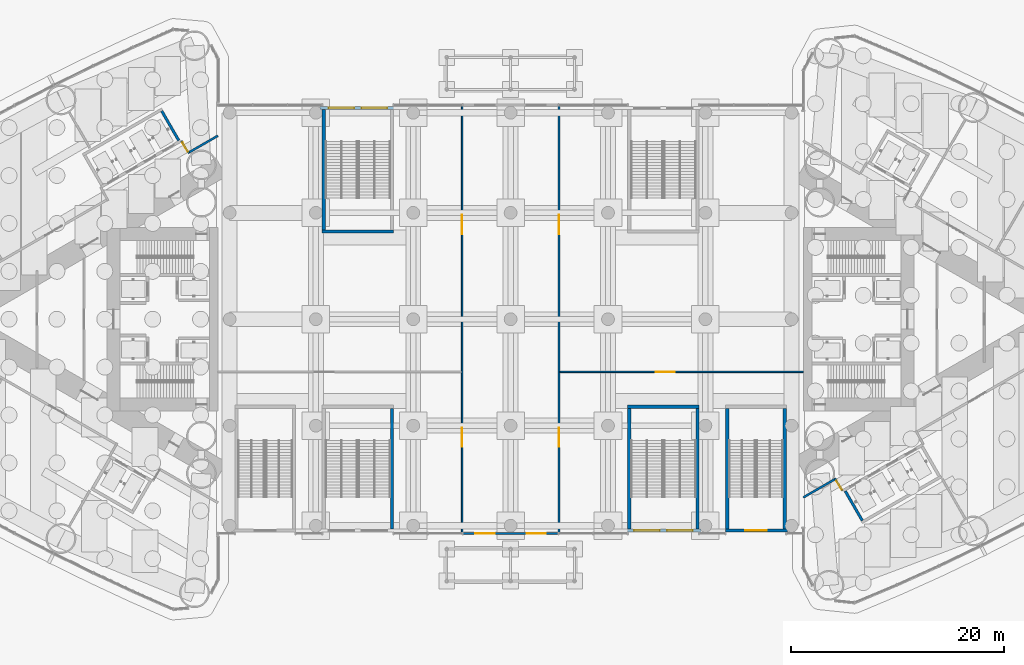
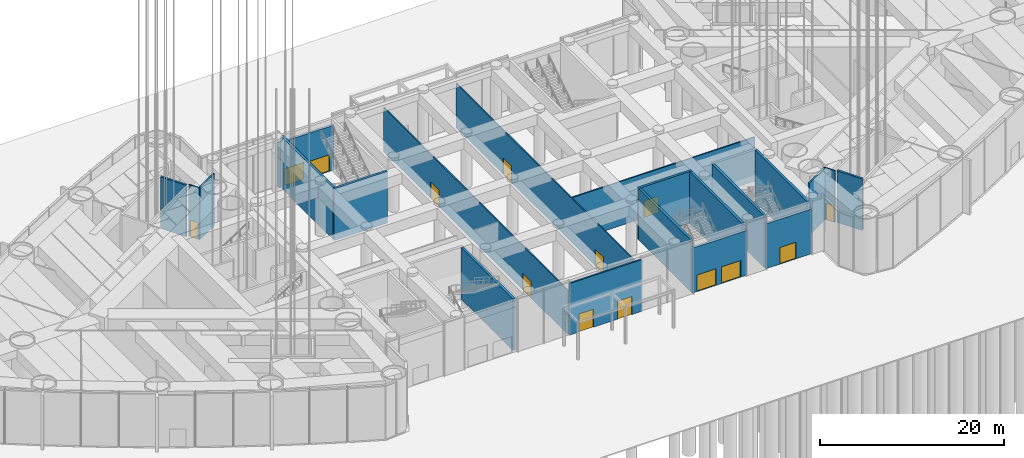
# One storey, part 22 of 43: 21 walls, 14 doors, 14 openings.
"""IFC4 building model written with IfcOpenShell, lengths in metres."""

from ifc_helpers import new_model, si_unit, direction, frame, frame_2d, origin, place, context, subcontext, project, spatial, rectangle, extrude, material, layer, layer_set, type_object, element, fill, save


model = new_model("IFC4")

# Units and contexts
model_context = context("Model", 3, precision=1e-05, world=origin(), true_north=direction((0.0, 1.0)))
body_context = subcontext(model_context, "Body", "Model", "MODEL_VIEW")
ifc_project = project(units=[si_unit("LENGTHUNIT", "METRE"), si_unit("AREAUNIT", "SQUARE_METRE"), si_unit("VOLUMEUNIT", "CUBIC_METRE"), si_unit("PLANEANGLEUNIT", "RADIAN"), si_unit("MASSUNIT", "GRAM", prefix="KILO")], contexts=[model_context])

# Site, building, storey
site_placement = place(None, origin())
site = spatial("IfcSite", under=ifc_project, at=site_placement, CompositionType="ELEMENT")
building_placement = place(site_placement, origin())
building = spatial("IfcBuilding", under=site, at=building_placement, Name="Lancet Gate Hotel", CompositionType="ELEMENT")
storey_placement = place(building_placement, origin())
storey = spatial("IfcBuildingStorey", under=building, at=storey_placement, Name="L00", CompositionType="ELEMENT", Elevation=0.0)

# Walls
ifc_material_1 = material(Name="Gypsum board partition")
ifc_layer_1 = layer(ifc_material_1, 0.199951171875)
ifc_layer_set_1 = layer_set([ifc_layer_1], Name="Corridor wall 200")
wall_type_1 = type_object("IfcWallType", Name="Corridor wall 200", PredefinedType="PARTITIONING", material=ifc_layer_set_1)
wall_1_placement = place(storey_placement, frame((-27.5, 17.244384765625, 0.0), z_axis=(0.0, 0.0, 1.0), x_axis=(-0.866039316896, -0.499975901009, 0.0)))
element("IfcWall", 1, at=wall_1_placement, inside=storey, type_object=wall_type_1, Name="T1 corridor wall 200 L00", PredefinedType="PARTITIONING", context=body_context, shape_type="SweptSolid", body=[
    extrude(rectangle(XDim=3.168701171875, YDim=0.199951171875, at=frame_2d((1.58447265625, 0.0))), origin(), (0.0, 0.0, 1.0), 6.85009765625),
])
wall_2_placement = place(storey_placement, frame((27.5, -16.744384765625, 0.0), z_axis=(0.0, 0.0, 1.0), x_axis=(0.866034395887, 0.499984424899, 0.0)))
element("IfcWall", 2, at=wall_2_placement, inside=storey, type_object=wall_type_1, Name="T2 corridor wall 200 L00", PredefinedType="PARTITIONING", context=body_context, shape_type="SweptSolid", body=[
    extrude(rectangle(XDim=3.46875, YDim=0.199951171875, at=frame_2d((1.734375, 0.0))), origin(), (0.0, 0.0, 1.0), 6.85009765625),
])

# Wall, openings, doors
ifc_material_2 = material(Name="Glazed aluminium screen", Category="aluminium")
ifc_layer_2 = layer(ifc_material_2, 0.199951171875)
ifc_layer_set_2 = layer_set([ifc_layer_2], Name="Glazed entrance screen 200")
wall_type_2 = type_object("IfcWallType", Name="Glazed entrance screen 200", PredefinedType="STANDARD", material=ifc_layer_set_2)
wall_3_placement = place(storey_placement, frame((4.5, -20.1201171875, 0.0), z_axis=(0.0, 0.0, 1.0), x_axis=(-1.0, 0.0, 0.0)))
wall_3 = element("IfcWall", 3, at=wall_3_placement, inside=storey, type_object=wall_type_2, Name="Concourse entrance screen S", PredefinedType="STANDARD", context=body_context, shape_type="SweptSolid", body=[
    extrude(rectangle(XDim=9.0, YDim=0.199951171875, at=frame_2d((4.5, 0.0))), origin(), (0.0, 0.0, 1.0), 6.85009765625),
])
opening_1_placement = place(wall_3_placement, frame((6.0, 0.0, 0.0)))
opening_1 = element("IfcOpeningElement", 4, at=opening_1_placement, cuts=wall_3, Name="Opening CONC-S1", PredefinedType="OPENING", context=body_context, shape_type="SweptSolid", body=[
    extrude(rectangle(XDim=1.800048828125, YDim=2.39990234375, at=frame_2d((0.89990234375, 1.199951171875))), frame((0.0, 0.10986328125, 0.0), z_axis=(0.0, -1.0, 0.0), x_axis=(1.0, 0.0, 0.0)), (0.0, 0.0, 1.0), 0.219970703125),
])
opening_2_placement = place(wall_3_placement, frame((1.199951171875, 0.0, 0.0)))
opening_2 = element("IfcOpeningElement", 5, at=opening_2_placement, cuts=wall_3, Name="Opening CONC-S2", PredefinedType="OPENING", context=body_context, shape_type="SweptSolid", body=[
    extrude(rectangle(XDim=1.800048828125, YDim=2.39990234375, at=frame_2d((0.89990234375, 1.199951171875))), frame((0.0, 0.10986328125, 0.0), z_axis=(0.0, -1.0, 0.0), x_axis=(1.0, 0.0, 0.0)), (0.0, 0.0, 1.0), 0.219970703125),
])
ifc_material_3 = material(Name="Glazed aluminium door set", Category="aluminium")
door_type_1 = type_object("IfcDoorType", Name="Entrance door 1800", OperationType="DOUBLE_DOOR_SINGLE_SWING", PredefinedType="DOOR", material=ifc_material_3)
door_1_placement = place(opening_1_placement, origin())
door_1 = element("IfcDoor", 6, at=door_1_placement, inside=storey, type_object=door_type_1, Name="CONC-S1", OperationType="SINGLE_SWING_LEFT", OverallHeight=2.39990234375, OverallWidth=1.800048828125, PredefinedType="DOOR", context=body_context, shape_type="SweptSolid", body=[
    extrude(rectangle(XDim=1.800048828125, YDim=2.39990234375, at=frame_2d((0.89990234375, 1.199951171875))), frame((0.0, 0.02490234375, 0.0), z_axis=(0.0, -1.0, 0.0), x_axis=(1.0, 0.0, 0.0)), (0.0, 0.0, 1.0), 0.050048828125),
])
fill(opening_1, door_1)
door_2_placement = place(opening_2_placement, origin())
door_2 = element("IfcDoor", 7, at=door_2_placement, inside=storey, type_object=door_type_1, Name="CONC-S2", OperationType="SINGLE_SWING_LEFT", OverallHeight=2.39990234375, OverallWidth=1.800048828125, PredefinedType="DOOR", context=body_context, shape_type="SweptSolid", body=[
    extrude(rectangle(XDim=1.800048828125, YDim=2.39990234375, at=frame_2d((0.89990234375, 1.199951171875))), frame((0.0, 0.02490234375, 0.0), z_axis=(0.0, -1.0, 0.0), x_axis=(1.0, 0.0, 0.0)), (0.0, 0.0, 1.0), 0.050048828125),
])
fill(opening_2, door_2)

# Walls
ifc_material_4 = material(Name="Gypsum board partition")
ifc_layer_3 = layer(ifc_material_4, 0.25)
ifc_layer_set_3 = layer_set([ifc_layer_3], Name="Lift shaft partition 250")
wall_type_3 = type_object("IfcWallType", Name="Lift shaft partition 250", PredefinedType="PARTITIONING", material=ifc_layer_set_3)
for number, where, z_axis, x_axis, name in (
    (8, (-31.18115234375, 16.79296875, 0.0), (0.0, 0.0, 1.0), (-0.499929347863, 0.866066190972, 0.0), "T1 lift shaft wall LR L00"),
    (9, (31.441162109375, -16.14306640625, 0.0), (0.0, 0.0, 1.0), (0.499929347863, -0.866066190972, 0.0), "T2 lift shaft wall LR L00"),
):
    element("IfcWall", number, at=place(storey_placement, frame(where, z_axis=z_axis, x_axis=x_axis)), inside=storey, type_object=wall_type_3, Name=name, PredefinedType="PARTITIONING", context=body_context, shape_type="SweptSolid", body=[
        extrude(rectangle(XDim=3.20068359375, YDim=0.25, at=frame_2d((1.600341796875, 0.0))), origin(), (0.0, 0.0, 1.0), 6.85009765625),
    ])

# Wall, openings, doors
ifc_material_5 = material(Name="Dense concrete blockwork", Category="masonry")
ifc_layer_4 = layer(ifc_material_5, 0.300048828125)
ifc_layer_set_4 = layer_set([ifc_layer_4], Name="Podium stair enclosure wall 300")
wall_type_4 = type_object("IfcWallType", Name="Podium stair enclosure wall 300", PredefinedType="SOLIDWALL", material=ifc_layer_set_4)
wall_4_placement = place(storey_placement, frame((17.903076171875, -19.85009765625, 0.0), z_axis=(0.0, 0.0, 1.0), x_axis=(-1.0, 0.0, 0.0)))
wall_4 = element("IfcWall", 10, at=wall_4_placement, inside=storey, type_object=wall_type_4, Name="Podium stair PS1 encl wall outer L00", PredefinedType="SOLIDWALL", context=body_context, shape_type="SweptSolid", body=[
    extrude(rectangle(XDim=6.903076171875, YDim=0.300048828125, at=frame_2d((3.45166015625, 0.0))), origin(), (0.0, 0.0, 1.0), 5.949951171875),
])
opening_3_placement = place(wall_4_placement, frame((3.903076171875, 0.0, 0.0)))
opening_3 = element("IfcOpeningElement", 11, at=opening_3_placement, cuts=wall_4, Name="Opening POD-L00-PS1-EX", PredefinedType="OPENING", context=body_context, shape_type="SweptSolid", body=[
    extrude(rectangle(XDim=2.39990234375, YDim=2.199951171875, at=frame_2d((1.199951171875, 1.10009765625))), frame((0.0, 0.159912109375, 0.0), z_axis=(0.0, -1.0, 0.0), x_axis=(1.0, 0.0, 0.0)), (0.0, 0.0, 1.0), 0.320068359375),
])
opening_4_placement = place(wall_4_placement, frame((0.802978515625, 0.0, 0.0)))
opening_4 = element("IfcOpeningElement", 12, at=opening_4_placement, cuts=wall_4, Name="Opening POD-L00-PS1-EX2", PredefinedType="OPENING", context=body_context, shape_type="SweptSolid", body=[
    extrude(rectangle(XDim=2.39990234375, YDim=2.199951171875, at=frame_2d((1.199951171875, 1.10009765625))), frame((0.0, 0.159912109375, 0.0), z_axis=(0.0, -1.0, 0.0), x_axis=(1.0, 0.0, 0.0)), (0.0, 0.0, 1.0), 0.320068359375),
])
ifc_material_6 = material(Name="Timber door set", Category="wood")
door_type_2 = type_object("IfcDoorType", Name="Exit double door 2400", OperationType="DOUBLE_DOOR_SINGLE_SWING", PredefinedType="DOOR", material=ifc_material_6)
door_3_placement = place(opening_3_placement, origin())
door_3 = element("IfcDoor", 13, at=door_3_placement, inside=storey, type_object=door_type_2, Name="POD-L00-PS1-EX", OperationType="DOUBLE_DOOR_SINGLE_SWING", OverallHeight=2.199951171875, OverallWidth=2.39990234375, PredefinedType="DOOR", context=body_context, shape_type="SweptSolid", body=[
    extrude(rectangle(XDim=2.39990234375, YDim=2.199951171875, at=frame_2d((1.199951171875, 1.10009765625))), frame((0.0, 0.02490234375, 0.0), z_axis=(0.0, -1.0, 0.0), x_axis=(1.0, 0.0, 0.0)), (0.0, 0.0, 1.0), 0.050048828125),
])
fill(opening_3, door_3)
door_4_placement = place(opening_4_placement, origin())
door_4 = element("IfcDoor", 14, at=door_4_placement, inside=storey, type_object=door_type_2, Name="POD-L00-PS1-EX2", OperationType="DOUBLE_DOOR_SINGLE_SWING", OverallHeight=2.199951171875, OverallWidth=2.39990234375, PredefinedType="DOOR", context=body_context, shape_type="SweptSolid", body=[
    extrude(rectangle(XDim=2.39990234375, YDim=2.199951171875, at=frame_2d((1.199951171875, 1.10009765625))), frame((0.0, 0.02490234375, 0.0), z_axis=(0.0, -1.0, 0.0), x_axis=(1.0, 0.0, 0.0)), (0.0, 0.0, 1.0), 0.050048828125),
])
fill(opening_4, door_4)

# Walls
wall_5_placement = place(storey_placement, frame((11.0, -8.22998046875, 0.0), z_axis=(0.0, 0.0, 1.0), x_axis=(1.0, 0.0, 0.0)))
element("IfcWall", 15, at=wall_5_placement, inside=storey, type_object=wall_type_4, Name="Podium stair PS1 encl wall inner L00", PredefinedType="SOLIDWALL", context=body_context, shape_type="SweptSolid", body=[
    extrude(rectangle(XDim=6.699951171875, YDim=0.300048828125, at=frame_2d((3.35009765625, 0.0))), origin(), (0.0, 0.0, 1.0), 6.85009765625),
])
for number, where, z_axis, x_axis, name in (
    (16, (11.14990234375, -8.3798828125, 0.0), (0.0, 0.0, 1.0), (0.0, -1.0, 0.0), "Podium stair PS1 encl wall near L00"),
    (17, (17.550048828125, -8.3798828125, 0.0), (0.0, 0.0, 1.0), (0.0, -1.0, 0.0), "Podium stair PS1 encl wall far L00"),
    (18, (-11.14990234375, -8.3798828125, 0.0), (0.0, 0.0, 1.0), (0.0, -1.0, 0.0), "Podium stair PS3 encl wall near L00"),
):
    element("IfcWall", number, at=place(storey_placement, frame(where, z_axis=z_axis, x_axis=x_axis)), inside=storey, type_object=wall_type_4, Name=name, PredefinedType="SOLIDWALL", context=body_context, shape_type="SweptSolid", body=[
        extrude(rectangle(XDim=11.320068359375, YDim=0.300048828125, at=frame_2d((5.66015625, 0.0))), origin(), (0.0, 0.0, 1.0), 6.85009765625),
    ])

# Wall, openings, doors
wall_6_placement = place(storey_placement, frame((-17.903076171875, 19.85009765625, 0.0), z_axis=(0.0, 0.0, 1.0), x_axis=(1.0, 0.0, 0.0)))
wall_6 = element("IfcWall", 19, at=wall_6_placement, inside=storey, type_object=wall_type_4, Name="Podium stair PS4 encl wall outer L00", PredefinedType="SOLIDWALL", context=body_context, shape_type="SweptSolid", body=[
    extrude(rectangle(XDim=6.903076171875, YDim=0.300048828125, at=frame_2d((3.45166015625, 0.0))), origin(), (0.0, 0.0, 1.0), 5.949951171875),
])
opening_5_placement = place(wall_6_placement, frame((0.802978515625, 0.0, 0.0)))
opening_5 = element("IfcOpeningElement", 20, at=opening_5_placement, cuts=wall_6, Name="Opening POD-L00-PS4-EX", PredefinedType="OPENING", context=body_context, shape_type="SweptSolid", body=[
    extrude(rectangle(XDim=2.39990234375, YDim=2.199951171875, at=frame_2d((1.199951171875, 1.10009765625))), frame((0.0, 0.159912109375, 0.0), z_axis=(0.0, -1.0, 0.0), x_axis=(1.0, 0.0, 0.0)), (0.0, 0.0, 1.0), 0.320068359375),
])
opening_6_placement = place(wall_6_placement, frame((3.903076171875, 0.0, 0.0)))
opening_6 = element("IfcOpeningElement", 21, at=opening_6_placement, cuts=wall_6, Name="Opening POD-L00-PS4-EX2", PredefinedType="OPENING", context=body_context, shape_type="SweptSolid", body=[
    extrude(rectangle(XDim=2.39990234375, YDim=2.199951171875, at=frame_2d((1.199951171875, 1.10009765625))), frame((0.0, 0.159912109375, 0.0), z_axis=(0.0, -1.0, 0.0), x_axis=(1.0, 0.0, 0.0)), (0.0, 0.0, 1.0), 0.320068359375),
])
door_5_placement = place(opening_5_placement, origin())
door_5 = element("IfcDoor", 22, at=door_5_placement, inside=storey, type_object=door_type_2, Name="POD-L00-PS4-EX", OperationType="DOUBLE_DOOR_SINGLE_SWING", OverallHeight=2.199951171875, OverallWidth=2.39990234375, PredefinedType="DOOR", context=body_context, shape_type="SweptSolid", body=[
    extrude(rectangle(XDim=2.39990234375, YDim=2.199951171875, at=frame_2d((1.199951171875, 1.10009765625))), frame((0.0, 0.02490234375, 0.0), z_axis=(0.0, -1.0, 0.0), x_axis=(1.0, 0.0, 0.0)), (0.0, 0.0, 1.0), 0.050048828125),
])
fill(opening_5, door_5)
door_6_placement = place(opening_6_placement, origin())
door_6 = element("IfcDoor", 23, at=door_6_placement, inside=storey, type_object=door_type_2, Name="POD-L00-PS4-EX2", OperationType="DOUBLE_DOOR_SINGLE_SWING", OverallHeight=2.199951171875, OverallWidth=2.39990234375, PredefinedType="DOOR", context=body_context, shape_type="SweptSolid", body=[
    extrude(rectangle(XDim=2.39990234375, YDim=2.199951171875, at=frame_2d((1.199951171875, 1.10009765625))), frame((0.0, 0.02490234375, 0.0), z_axis=(0.0, -1.0, 0.0), x_axis=(1.0, 0.0, 0.0)), (0.0, 0.0, 1.0), 0.050048828125),
])
fill(opening_6, door_6)

# Walls
wall_7_placement = place(storey_placement, frame((-17.699951171875, 8.22998046875, 0.0), z_axis=(0.0, 0.0, 1.0), x_axis=(1.0, 0.0, 0.0)))
element("IfcWall", 24, at=wall_7_placement, inside=storey, type_object=wall_type_4, Name="Podium stair PS4 encl wall inner L00", PredefinedType="SOLIDWALL", context=body_context, shape_type="SweptSolid", body=[
    extrude(rectangle(XDim=6.699951171875, YDim=0.300048828125, at=frame_2d((3.35009765625, 0.0))), origin(), (0.0, 0.0, 1.0), 6.85009765625),
])
wall_8_placement = place(storey_placement, frame((-17.550048828125, 8.3798828125, 0.0), z_axis=(0.0, 0.0, 1.0), x_axis=(0.0, 1.0, 0.0)))
element("IfcWall", 25, at=wall_8_placement, inside=storey, type_object=wall_type_4, Name="Podium stair PS4 encl wall far L00", PredefinedType="SOLIDWALL", context=body_context, shape_type="SweptSolid", body=[
    extrude(rectangle(XDim=11.320068359375, YDim=0.300048828125, at=frame_2d((5.66015625, 0.0))), origin(), (0.0, 0.0, 1.0), 6.85009765625),
])

# Wall, opening, door
wall_9_placement = place(storey_placement, frame((26.003173828125, -19.85009765625, 0.0), z_axis=(0.0, 0.0, 1.0), x_axis=(-1.0, 0.0, 0.0)))
wall_9 = element("IfcWall", 26, at=wall_9_placement, inside=storey, type_object=wall_type_4, Name="Podium stair PS5 encl wall outer L00", PredefinedType="SOLIDWALL", context=body_context, shape_type="SweptSolid", body=[
    extrude(rectangle(XDim=5.80322265625, YDim=0.300048828125, at=frame_2d((2.901611328125, 0.0))), origin(), (0.0, 0.0, 1.0), 5.949951171875),
])
opening_7_placement = place(wall_9_placement, frame((1.953125, 0.0, 0.0)))
opening_7 = element("IfcOpeningElement", 27, at=opening_7_placement, cuts=wall_9, Name="Opening POD-L00-PS5-EX", PredefinedType="OPENING", context=body_context, shape_type="SweptSolid", body=[
    extrude(rectangle(XDim=2.0, YDim=2.199951171875, at=frame_2d((1.0, 1.10009765625))), frame((0.0, 0.159912109375, 0.0), z_axis=(0.0, -1.0, 0.0), x_axis=(1.0, 0.0, 0.0)), (0.0, 0.0, 1.0), 0.320068359375),
])
ifc_material_7 = material(Name="Timber door set", Category="wood")
door_type_3 = type_object("IfcDoorType", Name="Exit double door 2000", OperationType="DOUBLE_DOOR_SINGLE_SWING", PredefinedType="DOOR", material=ifc_material_7)
door_7_placement = place(opening_7_placement, origin())
door_7 = element("IfcDoor", 28, at=door_7_placement, inside=storey, type_object=door_type_3, Name="POD-L00-PS5-EX", OperationType="DOUBLE_DOOR_SINGLE_SWING", OverallHeight=2.199951171875, OverallWidth=2.0, PredefinedType="DOOR", context=body_context, shape_type="SweptSolid", body=[
    extrude(rectangle(XDim=2.0, YDim=2.199951171875, at=frame_2d((1.0, 1.10009765625))), frame((0.0, 0.02490234375, 0.0), z_axis=(0.0, -1.0, 0.0), x_axis=(1.0, 0.0, 0.0)), (0.0, 0.0, 1.0), 0.050048828125),
])
fill(opening_7, door_7)

# Walls
for number, where, z_axis, x_axis, name in (
    (29, (20.35009765625, -8.3798828125, 0.0), (0.0, 0.0, 1.0), (0.0, -1.0, 0.0), "Podium stair PS5 encl wall near L00"),
    (30, (25.75, -8.3798828125, 0.0), (0.0, 0.0, 1.0), (0.0, -1.0, 0.0), "Podium stair PS5 encl wall far L00"),
):
    element("IfcWall", number, at=place(storey_placement, frame(where, z_axis=z_axis, x_axis=x_axis)), inside=storey, type_object=wall_type_4, Name=name, PredefinedType="SOLIDWALL", context=body_context, shape_type="SweptSolid", body=[
        extrude(rectangle(XDim=11.320068359375, YDim=0.300048828125, at=frame_2d((5.66015625, 0.0))), origin(), (0.0, 0.0, 1.0), 6.85009765625),
    ])

# Wall, opening, door
ifc_material_8 = material(Name="Gypsum board partition")
ifc_layer_5 = layer(ifc_material_8, 0.14990234375)
ifc_layer_set_5 = layer_set([ifc_layer_5], Name="Service room wall 150")
wall_type_5 = type_object("IfcWallType", Name="Service room wall 150", PredefinedType="PARTITIONING", material=ifc_layer_set_5)
wall_10_placement = place(storey_placement, frame((-30.207275390625, 15.56591796875, 0.0), z_axis=(0.0, 0.0, 1.0), x_axis=(-0.518374889333, 0.855153479855, 0.0)))
wall_10 = element("IfcWall", 31, at=wall_10_placement, inside=storey, type_object=wall_type_5, Name="T1 service room wall 150 L00", PredefinedType="PARTITIONING", context=body_context, shape_type="SweptSolid", body=[
    extrude(rectangle(XDim=1.405029296875, YDim=0.14990234375, at=frame_2d((0.70263671875, 0.0))), origin(), (0.0, 0.0, 1.0), 6.85009765625),
])
opening_8_placement = place(wall_10_placement, frame((0.202392578125, 0.0, 0.0)))
opening_8 = element("IfcOpeningElement", 32, at=opening_8_placement, cuts=wall_10, Name="Opening T1-L00-P001", PredefinedType="OPENING", context=body_context, shape_type="SweptSolid", body=[
    extrude(rectangle(XDim=1.0, YDim=2.199951171875, at=frame_2d((0.5, 1.10009765625))), frame((0.0, 0.0849609375, 0.0), z_axis=(0.0, -1.0, 0.0), x_axis=(1.0, 0.0, 0.0)), (0.0, 0.0, 1.0), 0.169921875),
])
ifc_material_9 = material(Name="Timber door set", Category="wood")
door_type_4 = type_object("IfcDoorType", Name="Service door 1000", OperationType="SINGLE_SWING_LEFT", PredefinedType="DOOR", material=ifc_material_9)
door_8_placement = place(opening_8_placement, origin())
door_8 = element("IfcDoor", 33, at=door_8_placement, inside=storey, type_object=door_type_4, Name="T1-L00-P001", OperationType="SINGLE_SWING_LEFT", OverallHeight=2.199951171875, OverallWidth=1.0, PredefinedType="DOOR", context=body_context, shape_type="SweptSolid", body=[
    extrude(rectangle(XDim=1.0, YDim=2.199951171875, at=frame_2d((0.5, 1.10009765625))), frame((0.0, 0.02490234375, 0.0), z_axis=(0.0, -1.0, 0.0), x_axis=(1.0, 0.0, 0.0)), (0.0, 0.0, 1.0), 0.050048828125),
])
fill(opening_8, door_8)

wall_11_placement = place(storey_placement, frame((30.46728515625, -14.915771484375, 0.0), z_axis=(0.0, 0.0, 1.0), x_axis=(0.518297865337, -0.855200165334, 0.0)))
wall_11 = element("IfcWall", 34, at=wall_11_placement, inside=storey, type_object=wall_type_5, Name="T2 service room wall 150 L00", PredefinedType="PARTITIONING", context=body_context, shape_type="SweptSolid", body=[
    extrude(rectangle(XDim=1.405029296875, YDim=0.14990234375, at=frame_2d((0.70263671875, 0.0))), origin(), (0.0, 0.0, 1.0), 6.85009765625),
])
opening_9_placement = place(wall_11_placement, frame((0.302978515625, 0.0, 0.0)))
opening_9 = element("IfcOpeningElement", 35, at=opening_9_placement, cuts=wall_11, Name="Opening T2-L00-P001", PredefinedType="OPENING", context=body_context, shape_type="SweptSolid", body=[
    extrude(rectangle(XDim=1.0, YDim=2.199951171875, at=frame_2d((0.5, 1.10009765625))), frame((0.0, 0.0849609375, 0.0), z_axis=(0.0, -1.0, 0.0), x_axis=(1.0, 0.0, 0.0)), (0.0, 0.0, 1.0), 0.169921875),
])
door_9_placement = place(opening_9_placement, origin())
door_9 = element("IfcDoor", 36, at=door_9_placement, inside=storey, type_object=door_type_4, Name="T2-L00-P001", OperationType="SINGLE_SWING_LEFT", OverallHeight=2.199951171875, OverallWidth=1.0, PredefinedType="DOOR", context=body_context, shape_type="SweptSolid", body=[
    extrude(rectangle(XDim=1.0, YDim=2.199951171875, at=frame_2d((0.5, 1.10009765625))), frame((0.0, 0.02490234375, 0.0), z_axis=(0.0, -1.0, 0.0), x_axis=(1.0, 0.0, 0.0)), (0.0, 0.0, 1.0), 0.050048828125),
])
fill(opening_9, door_9)

# Wall, openings, doors
wall_12_placement = place(storey_placement, frame((-4.550048828125, -20.06005859375, 0.0), z_axis=(0.0, 0.0, 1.0), x_axis=(0.0, 1.0, 0.0)))
wall_12 = element("IfcWall", 37, at=wall_12_placement, inside=storey, type_object=wall_type_5, Name="Podium partition L00", PredefinedType="PARTITIONING", context=body_context, shape_type="SweptSolid", body=[
    extrude(rectangle(XDim=40.1201171875, YDim=0.14990234375, at=frame_2d((20.06005859375, 0.0))), origin(), (0.0, 0.0, 1.0), 5.85009765625),
])
opening_10_placement = place(wall_12_placement, frame((8.06005859375, 0.0, 0.0)))
opening_10 = element("IfcOpeningElement", 38, at=opening_10_placement, cuts=wall_12, Name="Opening POD-L00-D00", PredefinedType="OPENING", context=body_context, shape_type="SweptSolid", body=[
    extrude(rectangle(XDim=1.800048828125, YDim=2.199951171875, at=frame_2d((0.89990234375, 1.10009765625))), frame((0.0, 0.0849609375, 0.0), z_axis=(0.0, -1.0, 0.0), x_axis=(1.0, 0.0, 0.0)), (0.0, 0.0, 1.0), 0.169921875),
])
opening_11_placement = place(wall_12_placement, frame((28.06005859375, 0.0, 0.0)))
opening_11 = element("IfcOpeningElement", 39, at=opening_11_placement, cuts=wall_12, Name="Opening POD-L00-D01", PredefinedType="OPENING", context=body_context, shape_type="SweptSolid", body=[
    extrude(rectangle(XDim=1.800048828125, YDim=2.199951171875, at=frame_2d((0.89990234375, 1.10009765625))), frame((0.0, 0.0849609375, 0.0), z_axis=(0.0, -1.0, 0.0), x_axis=(1.0, 0.0, 0.0)), (0.0, 0.0, 1.0), 0.169921875),
])
ifc_material_10 = material(Name="Timber door set", Category="wood")
door_type_5 = type_object("IfcDoorType", Name="Double door 1800", OperationType="DOUBLE_DOOR_SINGLE_SWING", PredefinedType="DOOR", material=ifc_material_10)
door_10_placement = place(opening_10_placement, origin())
door_10 = element("IfcDoor", 40, at=door_10_placement, inside=storey, type_object=door_type_5, Name="POD-L00-D00", OperationType="DOUBLE_DOOR_SINGLE_SWING", OverallHeight=2.199951171875, OverallWidth=1.800048828125, PredefinedType="DOOR", context=body_context, shape_type="SweptSolid", body=[
    extrude(rectangle(XDim=1.800048828125, YDim=2.199951171875, at=frame_2d((0.89990234375, 1.10009765625))), frame((0.0, 0.02490234375, 0.0), z_axis=(0.0, -1.0, 0.0), x_axis=(1.0, 0.0, 0.0)), (0.0, 0.0, 1.0), 0.050048828125),
])
fill(opening_10, door_10)
door_11_placement = place(opening_11_placement, origin())
door_11 = element("IfcDoor", 41, at=door_11_placement, inside=storey, type_object=door_type_5, Name="POD-L00-D01", OperationType="DOUBLE_DOOR_SINGLE_SWING", OverallHeight=2.199951171875, OverallWidth=1.800048828125, PredefinedType="DOOR", context=body_context, shape_type="SweptSolid", body=[
    extrude(rectangle(XDim=1.800048828125, YDim=2.199951171875, at=frame_2d((0.89990234375, 1.10009765625))), frame((0.0, 0.02490234375, 0.0), z_axis=(0.0, -1.0, 0.0), x_axis=(1.0, 0.0, 0.0)), (0.0, 0.0, 1.0), 0.050048828125),
])
fill(opening_11, door_11)

wall_13_placement = place(storey_placement, frame((4.550048828125, -20.06005859375, 0.0), z_axis=(0.0, 0.0, 1.0), x_axis=(0.0, 1.0, 0.0)))
wall_13 = element("IfcWall", 42, at=wall_13_placement, inside=storey, type_object=wall_type_5, Name="Podium partition L00", PredefinedType="PARTITIONING", context=body_context, shape_type="SweptSolid", body=[
    extrude(rectangle(XDim=40.1201171875, YDim=0.14990234375, at=frame_2d((20.06005859375, 0.0))), origin(), (0.0, 0.0, 1.0), 5.85009765625),
])
opening_12_placement = place(wall_13_placement, frame((8.06005859375, 0.0, 0.0)))
opening_12 = element("IfcOpeningElement", 43, at=opening_12_placement, cuts=wall_13, Name="Opening POD-L00-D10", PredefinedType="OPENING", context=body_context, shape_type="SweptSolid", body=[
    extrude(rectangle(XDim=1.800048828125, YDim=2.199951171875, at=frame_2d((0.89990234375, 1.10009765625))), frame((0.0, 0.0849609375, 0.0), z_axis=(0.0, -1.0, 0.0), x_axis=(1.0, 0.0, 0.0)), (0.0, 0.0, 1.0), 0.169921875),
])
opening_13_placement = place(wall_13_placement, frame((28.06005859375, 0.0, 0.0)))
opening_13 = element("IfcOpeningElement", 44, at=opening_13_placement, cuts=wall_13, Name="Opening POD-L00-D11", PredefinedType="OPENING", context=body_context, shape_type="SweptSolid", body=[
    extrude(rectangle(XDim=1.800048828125, YDim=2.199951171875, at=frame_2d((0.89990234375, 1.10009765625))), frame((0.0, 0.0849609375, 0.0), z_axis=(0.0, -1.0, 0.0), x_axis=(1.0, 0.0, 0.0)), (0.0, 0.0, 1.0), 0.169921875),
])
door_12_placement = place(opening_12_placement, origin())
door_12 = element("IfcDoor", 45, at=door_12_placement, inside=storey, type_object=door_type_5, Name="POD-L00-D10", OperationType="DOUBLE_DOOR_SINGLE_SWING", OverallHeight=2.199951171875, OverallWidth=1.800048828125, PredefinedType="DOOR", context=body_context, shape_type="SweptSolid", body=[
    extrude(rectangle(XDim=1.800048828125, YDim=2.199951171875, at=frame_2d((0.89990234375, 1.10009765625))), frame((0.0, 0.02490234375, 0.0), z_axis=(0.0, -1.0, 0.0), x_axis=(1.0, 0.0, 0.0)), (0.0, 0.0, 1.0), 0.050048828125),
])
fill(opening_12, door_12)
door_13_placement = place(opening_13_placement, origin())
door_13 = element("IfcDoor", 46, at=door_13_placement, inside=storey, type_object=door_type_5, Name="POD-L00-D11", OperationType="DOUBLE_DOOR_SINGLE_SWING", OverallHeight=2.199951171875, OverallWidth=1.800048828125, PredefinedType="DOOR", context=body_context, shape_type="SweptSolid", body=[
    extrude(rectangle(XDim=1.800048828125, YDim=2.199951171875, at=frame_2d((0.89990234375, 1.10009765625))), frame((0.0, 0.02490234375, 0.0), z_axis=(0.0, -1.0, 0.0), x_axis=(1.0, 0.0, 0.0)), (0.0, 0.0, 1.0), 0.050048828125),
])
fill(opening_13, door_13)

# Wall, opening, door
wall_14_placement = place(storey_placement, frame((4.625, -4.949951171875, 0.0), z_axis=(0.0, 0.0, 1.0), x_axis=(1.0, 0.0, 0.0)))
wall_14 = element("IfcWall", 47, at=wall_14_placement, inside=storey, type_object=wall_type_5, Name="Podium partition L00", PredefinedType="PARTITIONING", context=body_context, shape_type="SweptSolid", body=[
    extrude(rectangle(XDim=22.875, YDim=0.14990234375, at=frame_2d((11.4375, 0.0))), origin(), (0.0, 0.0, 1.0), 5.85009765625),
])
opening_14_placement = place(wall_14_placement, frame((9.0, 0.0, 0.0)))
opening_14 = element("IfcOpeningElement", 48, at=opening_14_placement, cuts=wall_14, Name="Opening POD-L00-X1", PredefinedType="OPENING", context=body_context, shape_type="SweptSolid", body=[
    extrude(rectangle(XDim=1.800048828125, YDim=2.199951171875, at=frame_2d((0.89990234375, 1.10009765625))), frame((0.0, 0.0849609375, 0.0), z_axis=(0.0, -1.0, 0.0), x_axis=(1.0, 0.0, 0.0)), (0.0, 0.0, 1.0), 0.169921875),
])
door_14_placement = place(opening_14_placement, origin())
door_14 = element("IfcDoor", 49, at=door_14_placement, inside=storey, type_object=door_type_5, Name="POD-L00-X1", OperationType="DOUBLE_DOOR_SINGLE_SWING", OverallHeight=2.199951171875, OverallWidth=1.800048828125, PredefinedType="DOOR", context=body_context, shape_type="SweptSolid", body=[
    extrude(rectangle(XDim=1.800048828125, YDim=2.199951171875, at=frame_2d((0.89990234375, 1.10009765625))), frame((0.0, 0.02490234375, 0.0), z_axis=(0.0, -1.0, 0.0), x_axis=(1.0, 0.0, 0.0)), (0.0, 0.0, 1.0), 0.050048828125),
])
fill(opening_14, door_14)

save(model, "model.ifc")
